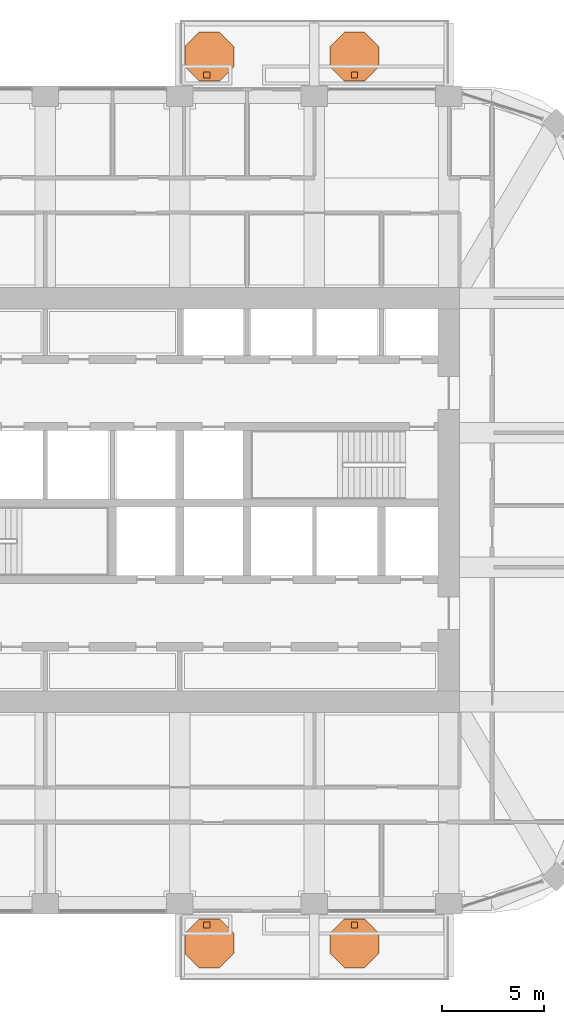
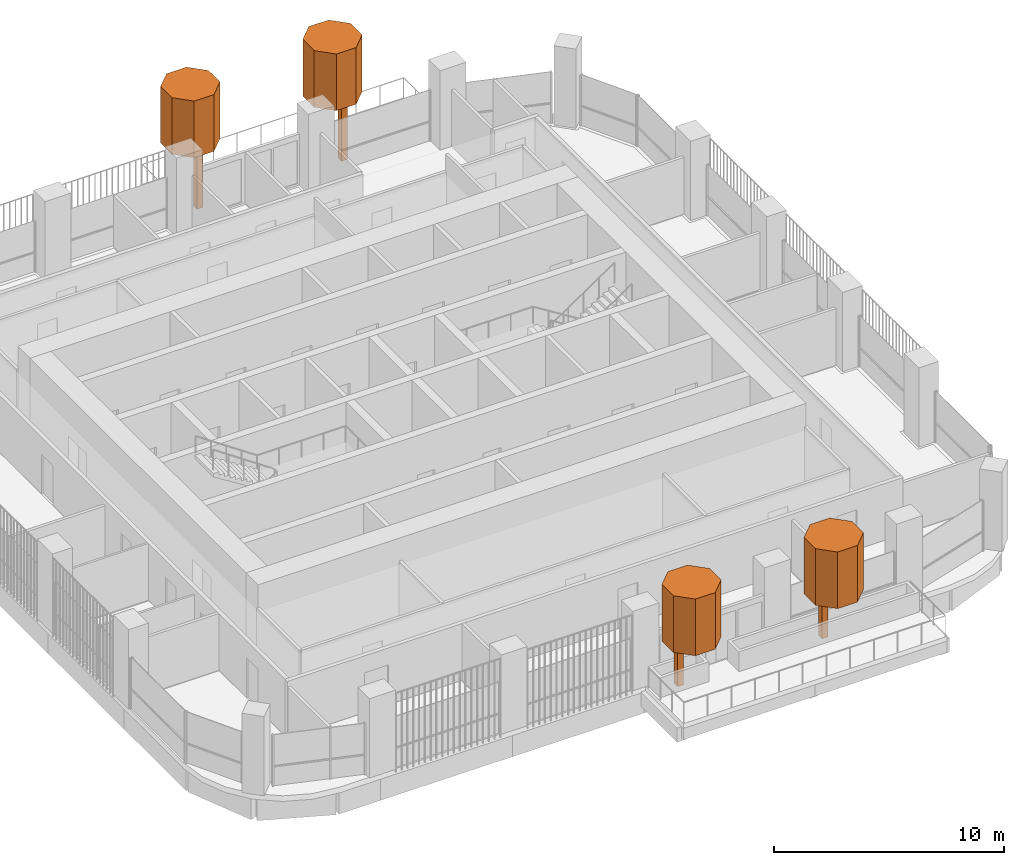
# One storey, part 21 of 21: 8 geographic elements.
"""IFC4 building model written with IfcOpenShell, lengths in metres."""

import ifcopenshell
import ifcopenshell.guid

model = None  # the IFC model being written
_history = None  # IfcOwnerHistory: only IFC2X3 demands one
_inside = {}  # id of a spatial element -> (the spatial element, [elements in it])
_under = {}  # id of a project, library or spatial element -> (it, [spatial elements below it])
_declared = {}  # id of a project -> (the project, [libraries it declares])
_typed = {}  # id of a type object -> (the type object, [elements of that type])
_made_of = {}  # id of a material, layer set ... -> (it, [elements and type objects made of it])


def new_model(schema):
    """Start an empty IFC model of exactly this schema.

    Asked for "IFC4X3", IfcOpenShell would pick the latest addendum, in which some entities
    have other attributes; the version numbers below select the first issue.
    IFC2X3 requires an IfcOwnerHistory on every rooted entity: one is made here for all.
    """
    global model, _history
    if schema == "IFC4X3":
        model = ifcopenshell.file(schema_version=(4, 3, 0, 0))
    else:
        model = ifcopenshell.file(schema=schema)
    _inside.clear()
    _under.clear()
    _declared.clear()
    _typed.clear()
    _made_of.clear()
    _history = None
    if model.schema == "IFC2X3":
        org = make("IfcOrganization", Name="unknown")
        user = make(
            "IfcPersonAndOrganization",
            ThePerson=make("IfcPerson", FamilyName="unknown"),
            TheOrganization=org,
        )
        app = make(
            "IfcApplication",
            ApplicationDeveloper=org,
            Version="unknown",
            ApplicationFullName="unknown",
            ApplicationIdentifier="unknown",
        )
        _history = make(
            "IfcOwnerHistory",
            OwningUser=user,
            OwningApplication=app,
            ChangeAction="ADDED",
            CreationDate=0,
        )
    return model


def make(cls, **values):
    """One entity of the class cls with the attributes given. An attribute that is None is left unset."""
    return model.create_entity(
        cls, **{name: value for name, value in values.items() if value is not None}
    )


def rooted(cls, **values):
    """An entity with a GlobalId (a new one), such as an element, a storey or a relation."""
    return make(cls, GlobalId=ifcopenshell.guid.new(), OwnerHistory=_history, **values)


def si_unit(unit_type, name, prefix=None):
    """IfcSIUnit, for example si_unit("LENGTHUNIT", "METRE", prefix="MILLI")."""
    return make("IfcSIUnit", UnitType=unit_type, Prefix=prefix, Name=name)


def assignment(units):
    """IfcUnitAssignment: the units of a project."""
    return None if units is None else make("IfcUnitAssignment", Units=units)


def point(xyz):
    """IfcCartesianPoint."""
    return None if xyz is None else make("IfcCartesianPoint", Coordinates=xyz)


def direction(xyz):
    """IfcDirection."""
    return None if xyz is None else make("IfcDirection", DirectionRatios=xyz)


def frame(location, z_axis=None, x_axis=None):
    """IfcAxis2Placement3D, a coordinate frame: its origin and axes. An axis left out is left unset."""
    return make(
        "IfcAxis2Placement3D",
        Location=point(location),
        Axis=direction(z_axis),
        RefDirection=direction(x_axis),
    )


def frame_2d(location, x_axis=None):
    """IfcAxis2Placement2D, a coordinate frame in the plane: its origin and x axis."""
    return make(
        "IfcAxis2Placement2D", Location=point(location), RefDirection=direction(x_axis)
    )


def origin():
    """The frame at (0, 0, 0) with its axes left unset."""
    return frame((0.0, 0.0, 0.0))


def origin_2d():
    """The frame at (0, 0) in the plane with its x axis left unset."""
    return frame_2d((0.0, 0.0))


def place(relative_to, where):
    """IfcLocalPlacement: puts the frame where relative to a parent placement (None: the world)."""
    return make(
        "IfcLocalPlacement", PlacementRelTo=relative_to, RelativePlacement=where
    )


def context(
    kind, dimensions, precision=None, world=None, true_north=None, identifier=None
):
    """IfcGeometricRepresentationContext, for example the 3D "Model" context."""
    return make(
        "IfcGeometricRepresentationContext",
        ContextIdentifier=identifier,
        ContextType=kind,
        CoordinateSpaceDimension=dimensions,
        Precision=precision,
        WorldCoordinateSystem=world,
        TrueNorth=true_north,
    )


def subcontext(parent, identifier, kind, view, scale=None):
    """IfcGeometricRepresentationSubContext, for example "Body" below "Model"."""
    return make(
        "IfcGeometricRepresentationSubContext",
        ContextIdentifier=identifier,
        ContextType=kind,
        ParentContext=parent,
        TargetScale=scale,
        TargetView=view,
    )


def project(units=None, contexts=None):
    """IfcProject with its units and contexts."""
    return rooted(
        "IfcProject",
        Name="project",
        RepresentationContexts=contexts,
        UnitsInContext=assignment(units),
    )


def spatial(cls, under=None, at=None, **own):
    """A site, building, storey or space (cls), placed at a placement, below another one or the project."""
    s = rooted(cls, ObjectPlacement=at, **own)
    if under is not None:
        _under.setdefault(under.id(), (under, []))[1].append(s)
    return s


def polyline(points):
    """IfcPolyline through the points."""
    return make("IfcPolyline", Points=[point(p) for p in points])


def profile(cls, at=None, kind="AREA", **sizes):
    """A parametric profile (cls). Its sizes go by their IFC names, for example OverallWidth=200.0."""
    return make(cls, ProfileType=kind, Position=at, **sizes)


def rectangle(**sizes):
    """IfcRectangleProfileDef."""
    return profile("IfcRectangleProfileDef", **sizes)


def outline(outer, holes=None, kind="AREA"):
    """IfcArbitraryClosedProfileDef: a profile drawn as a closed curve; with holes, ...WithVoids."""
    if holes is None:
        return make("IfcArbitraryClosedProfileDef", ProfileType=kind, OuterCurve=outer)
    return make(
        "IfcArbitraryProfileDefWithVoids",
        ProfileType=kind,
        OuterCurve=outer,
        InnerCurves=holes,
    )


def extrude(swept, where, along, depth):
    """IfcExtrudedAreaSolid: the profile swept, set in the frame where, extruded along a direction by depth."""
    return make(
        "IfcExtrudedAreaSolid",
        SweptArea=swept,
        Position=where,
        ExtrudedDirection=direction(along),
        Depth=depth,
    )


def shape(context_of_items, identifier, shape_type, items):
    """IfcShapeRepresentation: the items that make up one representation, for example the "Body"."""
    return make(
        "IfcShapeRepresentation",
        ContextOfItems=context_of_items,
        RepresentationIdentifier=identifier,
        RepresentationType=shape_type,
        Items=items,
    )


def material(Name=None, Category=None):
    """IfcMaterial."""
    return make("IfcMaterial", Name=Name, Category=Category)


def made_of(thing, what):
    """Note that an element or type object is made of a material, layer set ...; save() writes the relation."""
    if what is not None:
        _made_of.setdefault(what.id(), (what, []))[1].append(thing)
    return thing


def type_object(cls, material=None, **own):
    """A type object (cls), such as IfcWallType, which elements share."""
    return made_of(rooted(cls, **own), material)


def element(
    cls,
    number,
    at=None,
    inside=None,
    cuts=None,
    type_object=None,
    material=None,
    context=None,
    identifier="Body",
    shape_type=None,
    held_by="IfcProductDefinitionShape",
    body=None,
    shapes=None,
    **own,
):
    """One element of the class cls, such as IfcWall. Its Tag is "e" and its number.

    at: its placement. inside: the storey or other place that contains it. cuts: it is an
    opening in that element (IfcRelVoidsElement). A single representation is given by context,
    identifier, shape_type and body (its items); several are given by shapes. held_by: the class
    of the entity that holds the representations. save() writes the other relations.
    """
    e = rooted(cls, Tag="e%d" % number, ObjectPlacement=at, **own)
    if body is not None:
        shapes = [shape(context, identifier, shape_type, body)]
    if shapes is not None:
        e.Representation = make(held_by, Representations=shapes)
    if inside is not None:
        _inside.setdefault(inside.id(), (inside, []))[1].append(e)
    if cuts is not None:
        rooted(
            "IfcRelVoidsElement", RelatingBuildingElement=cuts, RelatedOpeningElement=e
        )
    if type_object is not None:
        _typed.setdefault(type_object.id(), (type_object, []))[1].append(e)
    return made_of(e, material)


def aggregate(whole, parts):
    """IfcRelAggregates: a whole, such as a stair, and the parts it consists of."""
    return rooted("IfcRelAggregates", RelatingObject=whole, RelatedObjects=parts)


def save(model, path):
    """Write the relations noted so far, then the file.

    IfcRelAggregates (storeys below a building ...), IfcRelContainedInSpatialStructure (elements
    in a storey), IfcRelDefinesByType, IfcRelAssociatesMaterial and IfcRelDeclares: one each for
    every whole, place, type object, material and project.
    """
    for whole, parts in _under.values():
        aggregate(whole, parts)
    for where, things in _inside.values():
        rooted(
            "IfcRelContainedInSpatialStructure",
            RelatedElements=things,
            RelatingStructure=where,
        )
    for kind, things in _typed.values():
        rooted("IfcRelDefinesByType", RelatedObjects=things, RelatingType=kind)
    for what, things in _made_of.values():
        rooted("IfcRelAssociatesMaterial", RelatedObjects=things, RelatingMaterial=what)
    for by, libraries in _declared.values():
        rooted("IfcRelDeclares", RelatingContext=by, RelatedDefinitions=libraries)
    model.write(path)


model = new_model("IFC4")

# Units and contexts
model_context = context("Model", 3, precision=1e-05, world=origin(), true_north=direction((0.0, 1.0)))
body_context = subcontext(model_context, "Body", "Model", "MODEL_VIEW")
ifc_project = project(units=[si_unit("LENGTHUNIT", "METRE"), si_unit("AREAUNIT", "SQUARE_METRE"), si_unit("VOLUMEUNIT", "CUBIC_METRE"), si_unit("PLANEANGLEUNIT", "RADIAN"), si_unit("MASSUNIT", "GRAM", prefix="KILO")], contexts=[model_context])

# Site, building, storey
site_placement = place(None, origin())
site = spatial("IfcSite", under=ifc_project, at=site_placement, CompositionType="ELEMENT")
building_placement = place(site_placement, origin())
building = spatial("IfcBuilding", under=site, at=building_placement, Name="Cobogo Forest Laboratory Tower", CompositionType="ELEMENT")
storey_placement = place(building_placement, frame((0.0, 0.0, 241.800048828125)))
storey = spatial("IfcBuildingStorey", under=building, at=storey_placement, Name="L55", CompositionType="ELEMENT", Elevation=241.800048828125)

# Geographic elements
ifc_material = material(Name="Planting", Category="plant")
geographic_element_type_1 = type_object("IfcGeographicElementType", Name="Tree trunk 300", PredefinedType="USERDEFINED", material=ifc_material)
for number, where, z_axis, x_axis, name in (
    (1, (27.72509765625, 2.25, 0.0), (0.0, 0.0, 1.0), (1.0, 0.0, 0.0), "Tree trunk BAL-S1-PL1 L55"),
    (2, (34.97509765625, 2.25, 0.0), (0.0, 0.0, 1.0), (1.0, 0.0, 0.0), "Tree trunk BAL-S1-PL2 L55"),
    (3, (27.72509765625, 43.949951171875, 0.0), (0.0, 0.0, 1.0), (1.0, 0.0, 0.0), "Tree trunk BAL-N1-PL1 L55"),
    (4, (34.97509765625, 43.949951171875, 0.0), (0.0, 0.0, 1.0), (1.0, 0.0, 0.0), "Tree trunk BAL-N1-PL2 L55"),
):
    element("IfcGeographicElement", number, at=place(storey_placement, frame(where, z_axis=z_axis, x_axis=x_axis)), inside=storey, type_object=geographic_element_type_1, Name=name, ObjectType="TREE TRUNK", PredefinedType="USERDEFINED", context=body_context, shape_type="SweptSolid", body=[
        extrude(rectangle(XDim=0.300048828125, YDim=0.300048828125, at=origin_2d()), origin(), (0.0, 0.0, 1.0), 2.89990234375),
    ])
geographic_element_type_2 = type_object("IfcGeographicElementType", Name="Tree, holm oak 5 m", PredefinedType="USERDEFINED", material=ifc_material)
geographic_element_1_placement = place(storey_placement, frame((0.0, 0.0, 2.89990234375)))
element("IfcGeographicElement", 5, at=geographic_element_1_placement, inside=storey, type_object=geographic_element_type_2, Name="Holm tree BAL-S1-PL1 L55", ObjectType="TREE", PredefinedType="USERDEFINED", context=body_context, shape_type="SweptSolid", body=[
    extrude(outline(polyline([(29.050048828125, 0.85302734375), (29.050048828125, 1.84716796875), (28.34716796875, 2.550048828125), (27.35302734375, 2.550048828125), (26.64990234375, 1.84716796875), (26.64990234375, 0.85302734375), (27.35302734375, 0.14990234375), (28.34716796875, 0.14990234375), (29.050048828125, 0.85302734375)])), origin(), (0.0, 0.0, 1.0), 3.0),
])
geographic_element_2_placement = place(storey_placement, frame((0.0, 0.0, 2.89990234375)))
element("IfcGeographicElement", 6, at=geographic_element_2_placement, inside=storey, type_object=geographic_element_type_2, Name="Holm tree BAL-S1-PL2 L55", ObjectType="TREE", PredefinedType="USERDEFINED", context=body_context, shape_type="SweptSolid", body=[
    extrude(outline(polyline([(36.175048828125, 0.85302734375), (36.175048828125, 1.84716796875), (35.47216796875, 2.550048828125), (34.47802734375, 2.550048828125), (33.77490234375, 1.84716796875), (33.77490234375, 0.85302734375), (34.47802734375, 0.14990234375), (35.47216796875, 0.14990234375), (36.175048828125, 0.85302734375)])), origin(), (0.0, 0.0, 1.0), 3.0),
])
geographic_element_3_placement = place(storey_placement, frame((0.0, 0.0, 2.89990234375)))
element("IfcGeographicElement", 7, at=geographic_element_3_placement, inside=storey, type_object=geographic_element_type_2, Name="Holm tree BAL-N1-PL1 L55", ObjectType="TREE", PredefinedType="USERDEFINED", context=body_context, shape_type="SweptSolid", body=[
    extrude(outline(polyline([(29.050048828125, 44.35302734375), (29.050048828125, 45.34716796875), (28.34716796875, 46.050048828125), (27.35302734375, 46.050048828125), (26.64990234375, 45.34716796875), (26.64990234375, 44.35302734375), (27.35302734375, 43.64990234375), (28.34716796875, 43.64990234375), (29.050048828125, 44.35302734375)])), origin(), (0.0, 0.0, 1.0), 3.0),
])
geographic_element_4_placement = place(storey_placement, frame((0.0, 0.0, 2.89990234375)))
element("IfcGeographicElement", 8, at=geographic_element_4_placement, inside=storey, type_object=geographic_element_type_2, Name="Holm tree BAL-N1-PL2 L55", ObjectType="TREE", PredefinedType="USERDEFINED", context=body_context, shape_type="SweptSolid", body=[
    extrude(outline(polyline([(36.175048828125, 44.35302734375), (36.175048828125, 45.34716796875), (35.47216796875, 46.050048828125), (34.47802734375, 46.050048828125), (33.77490234375, 45.34716796875), (33.77490234375, 44.35302734375), (34.47802734375, 43.64990234375), (35.47216796875, 43.64990234375), (36.175048828125, 44.35302734375)])), origin(), (0.0, 0.0, 1.0), 3.0),
])

save(model, "model.ifc")
